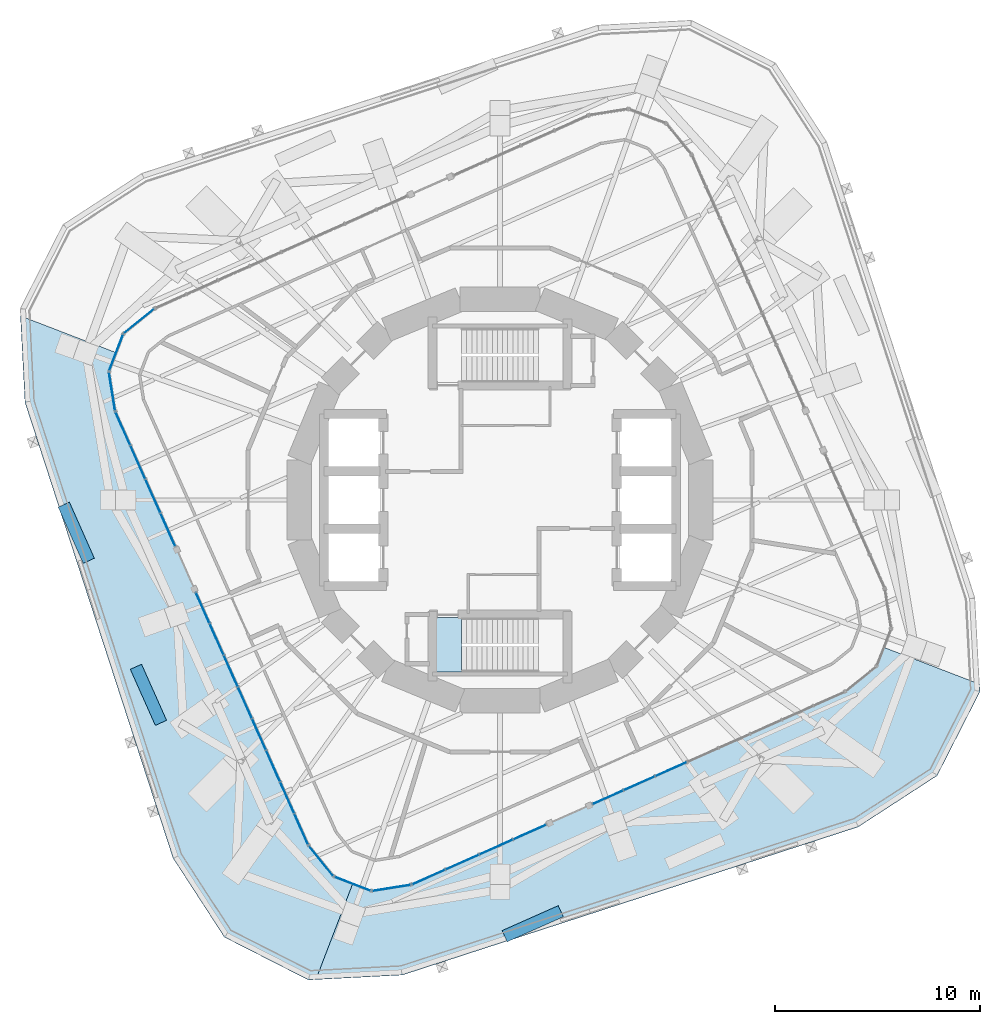
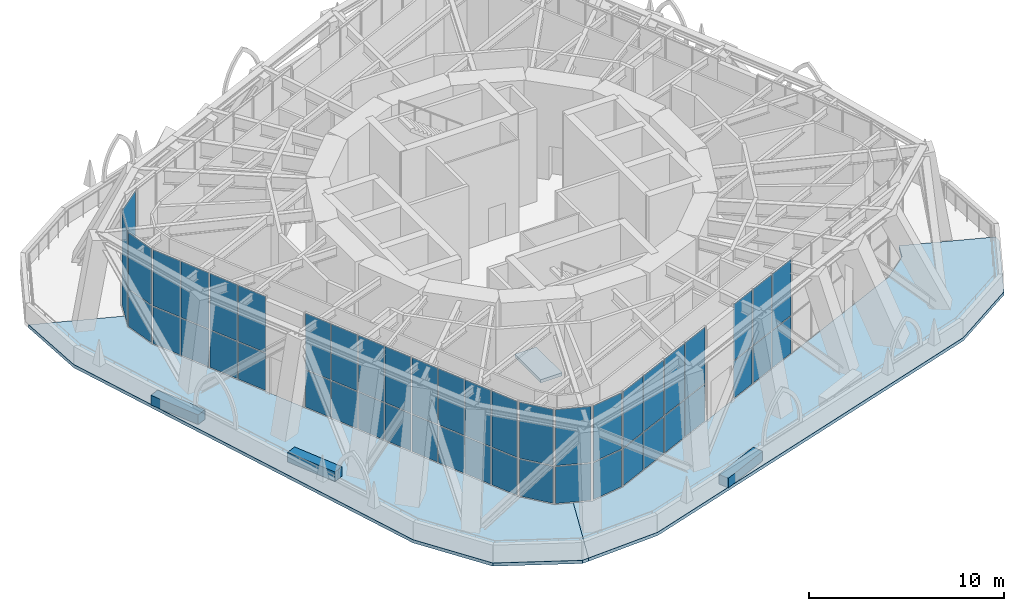
# One storey, part 10 of 18: 53 plates, 3 slabs, 11 elements without a shape of their own.
"""IFC4 building model written with IfcOpenShell, lengths in metres."""

from ifc_helpers import new_model, si_unit, direction, frame, origin, origin_2d, place, context, subcontext, project, spatial, polyline, rectangle, outline, extrude, material, layer, layer_set, type_object, element, aggregate, save


model = new_model("IFC4")

# Units and contexts
model_context = context("Model", 3, precision=1e-05, world=origin(), true_north=direction((0.0, 1.0)))
body_context = subcontext(model_context, "Body", "Model", "MODEL_VIEW")
ifc_project = project(units=[si_unit("LENGTHUNIT", "METRE"), si_unit("AREAUNIT", "SQUARE_METRE"), si_unit("VOLUMEUNIT", "CUBIC_METRE"), si_unit("PLANEANGLEUNIT", "RADIAN"), si_unit("MASSUNIT", "GRAM", prefix="KILO")], contexts=[model_context])

# Site, building, storey
site_placement = place(None, origin())
site = spatial("IfcSite", under=ifc_project, at=site_placement, CompositionType="ELEMENT")
building_placement = place(site_placement, origin())
building = spatial("IfcBuilding", under=site, at=building_placement, Name="Nakasero Lantern House", CompositionType="ELEMENT")
storey_placement = place(building_placement, frame((0.0, 0.0, 176.449951171875)))
storey = spatial("IfcBuildingStorey", under=building, at=storey_placement, Name="L43", CompositionType="ELEMENT", Elevation=176.449951171875)

# Curtain wall, plates
ifc_material_1 = material(Name="Aluminium 6063-T6 and glass", Category="aluminium")
curtain_wall_type = type_object("IfcCurtainWallType", Name="Sky lounge glazing CW-3", PredefinedType="USERDEFINED", material=ifc_material_1)
curtain_wall_1_placement = place(storey_placement, origin())
curtain_wall_1 = element("IfcCurtainWall", 1, at=curtain_wall_1_placement, inside=storey, type_object=curtain_wall_type, Name="Curtain wall CW-3 L43", ObjectType="STICK CURTAIN WALL", PredefinedType="USERDEFINED")
ifc_material_2 = material(Name="Glass", Category="glass")
ifc_layer_1 = layer(ifc_material_2, 0.028076171875)
ifc_layer_set_1 = layer_set([ifc_layer_1], Name="Glazed panel CW-3")
plate_type_1 = type_object("IfcPlateType", Name="Glazed panel CW-3", PredefinedType="CURTAIN_PANEL", material=ifc_layer_set_1)
plate_1_placement = place(storey_placement, frame((-17.633056640625, 8.7412109375, 0.06005859375), z_axis=(0.0, 0.0, 1.0), x_axis=(-0.777145961556, -0.629320390928, 0.0)))
plate_1 = element("IfcPlate", 2, at=plate_1_placement, type_object=plate_type_1, Name="CW-3 panel 1.1", PredefinedType="CURTAIN_PANEL", context=body_context, shape_type="SweptSolid", body=[
    extrude(rectangle(XDim=1.853759765625, YDim=0.028076171875, at=origin_2d()), origin(), (0.0, 0.0, 1.0), 2.31005859375),
])
plate_2_placement = place(storey_placement, frame((-17.633056640625, 8.7412109375, 2.43017578125), z_axis=(0.0, 0.0, 1.0), x_axis=(-0.777145961556, -0.629320390928, 0.0)))
plate_2 = element("IfcPlate", 3, at=plate_2_placement, type_object=plate_type_1, Name="CW-3 panel 1.2", PredefinedType="CURTAIN_PANEL", context=body_context, shape_type="SweptSolid", body=[
    extrude(rectangle(XDim=1.853759765625, YDim=0.028076171875, at=origin_2d()), origin(), (0.0, 0.0, 1.0), 3.510009765625),
])
aggregate(curtain_wall_1, [plate_1, plate_2])

curtain_wall_2_placement = place(storey_placement, origin())
curtain_wall_2 = element("IfcCurtainWall", 4, at=curtain_wall_2_placement, inside=storey, type_object=curtain_wall_type, Name="Curtain wall CW-3 L43", ObjectType="STICK CURTAIN WALL", PredefinedType="USERDEFINED")
plate_3_placement = place(storey_placement, frame((-16.95556640625, 0.1884765625, 0.06005859375), z_axis=(0.0, 0.0, 1.0), x_axis=(0.406736643044, -0.913545457657, 0.0)))
plate_3 = element("IfcPlate", 5, at=plate_3_placement, type_object=plate_type_1, Name="CW-3 panel 3.1", PredefinedType="CURTAIN_PANEL", context=body_context, shape_type="SweptSolid", body=[
    extrude(rectangle(XDim=1.75244140625, YDim=0.028076171875, at=origin_2d()), origin(), (0.0, 0.0, 1.0), 2.31005859375),
])
plate_4_placement = place(storey_placement, frame((-16.95556640625, 0.1884765625, 2.43017578125), z_axis=(0.0, 0.0, 1.0), x_axis=(0.406736643044, -0.913545457657, 0.0)))
plate_4 = element("IfcPlate", 6, at=plate_4_placement, type_object=plate_type_1, Name="CW-3 panel 3.2", PredefinedType="CURTAIN_PANEL", context=body_context, shape_type="SweptSolid", body=[
    extrude(rectangle(XDim=1.75244140625, YDim=0.028076171875, at=origin_2d()), origin(), (0.0, 0.0, 1.0), 3.510009765625),
])

curtain_wall_3_placement = place(storey_placement, origin())
curtain_wall_3 = element("IfcCurtainWall", 7, at=curtain_wall_3_placement, inside=storey, type_object=curtain_wall_type, Name="Curtain wall CW-3 L43", ObjectType="STICK CURTAIN WALL", PredefinedType="USERDEFINED")
plate_5_placement = place(storey_placement, frame((-13.84033203125, -6.80859375, 0.06005859375), z_axis=(0.0, 0.0, 1.0), x_axis=(0.406736643092, -0.913545457636, 0.0)))
plate_5 = element("IfcPlate", 8, at=plate_5_placement, type_object=plate_type_1, Name="CW-3 panel 2.1", PredefinedType="CURTAIN_PANEL", context=body_context, shape_type="SweptSolid", body=[
    extrude(rectangle(XDim=1.6337890625, YDim=0.028076171875, at=origin_2d()), origin(), (0.0, 0.0, 1.0), 2.31005859375),
])
plate_6_placement = place(storey_placement, frame((-13.84033203125, -6.80859375, 2.43017578125), z_axis=(0.0, 0.0, 1.0), x_axis=(0.406736643092, -0.913545457636, 0.0)))
plate_6 = element("IfcPlate", 9, at=plate_6_placement, type_object=plate_type_1, Name="CW-3 panel 2.2", PredefinedType="CURTAIN_PANEL", context=body_context, shape_type="SweptSolid", body=[
    extrude(rectangle(XDim=1.6337890625, YDim=0.028076171875, at=origin_2d()), origin(), (0.0, 0.0, 1.0), 3.510009765625),
])

curtain_wall_4_placement = place(storey_placement, origin())
curtain_wall_4 = element("IfcCurtainWall", 10, at=curtain_wall_4_placement, inside=storey, type_object=curtain_wall_type, Name="Curtain wall CW-3 L43", ObjectType="STICK CURTAIN WALL", PredefinedType="USERDEFINED")
plate_7_placement = place(storey_placement, frame((-8.7412109375, -17.633056640625, 0.06005859375), z_axis=(0.0, 0.0, 1.0), x_axis=(0.629320390928, -0.777145961556, 0.0)))
plate_7 = element("IfcPlate", 11, at=plate_7_placement, type_object=plate_type_1, Name="CW-3 panel 1.1", PredefinedType="CURTAIN_PANEL", context=body_context, shape_type="SweptSolid", body=[
    extrude(rectangle(XDim=1.853759765625, YDim=0.028076171875, at=origin_2d()), origin(), (0.0, 0.0, 1.0), 2.31005859375),
])
plate_8_placement = place(storey_placement, frame((-8.7412109375, -17.633056640625, 2.43017578125), z_axis=(0.0, 0.0, 1.0), x_axis=(0.629320390928, -0.777145961556, 0.0)))
plate_8 = element("IfcPlate", 12, at=plate_8_placement, type_object=plate_type_1, Name="CW-3 panel 1.2", PredefinedType="CURTAIN_PANEL", context=body_context, shape_type="SweptSolid", body=[
    extrude(rectangle(XDim=1.853759765625, YDim=0.028076171875, at=origin_2d()), origin(), (0.0, 0.0, 1.0), 3.510009765625),
])
aggregate(curtain_wall_4, [plate_7, plate_8])

curtain_wall_5_placement = place(storey_placement, origin())
curtain_wall_5 = element("IfcCurtainWall", 13, at=curtain_wall_5_placement, inside=storey, type_object=curtain_wall_type, Name="Curtain wall CW-3 L43", ObjectType="STICK CURTAIN WALL", PredefinedType="USERDEFINED")
plate_9_placement = place(storey_placement, frame((-0.1884765625, -16.95556640625, 0.06005859375), z_axis=(0.0, 0.0, 1.0), x_axis=(0.913545457657, 0.406736643044, 0.0)))
plate_9 = element("IfcPlate", 14, at=plate_9_placement, type_object=plate_type_1, Name="CW-3 panel 3.1", PredefinedType="CURTAIN_PANEL", context=body_context, shape_type="SweptSolid", body=[
    extrude(rectangle(XDim=1.75244140625, YDim=0.028076171875, at=origin_2d()), origin(), (0.0, 0.0, 1.0), 2.31005859375),
])
plate_10_placement = place(storey_placement, frame((-0.1884765625, -16.95556640625, 2.43017578125), z_axis=(0.0, 0.0, 1.0), x_axis=(0.913545457657, 0.406736643044, 0.0)))
plate_10 = element("IfcPlate", 15, at=plate_10_placement, type_object=plate_type_1, Name="CW-3 panel 3.2", PredefinedType="CURTAIN_PANEL", context=body_context, shape_type="SweptSolid", body=[
    extrude(rectangle(XDim=1.75244140625, YDim=0.028076171875, at=origin_2d()), origin(), (0.0, 0.0, 1.0), 3.510009765625),
])

curtain_wall_6_placement = place(storey_placement, origin())
curtain_wall_6 = element("IfcCurtainWall", 16, at=curtain_wall_6_placement, inside=storey, type_object=curtain_wall_type, Name="Curtain wall CW-3 L43", ObjectType="STICK CURTAIN WALL", PredefinedType="USERDEFINED")
plate_11_placement = place(storey_placement, frame((6.80859375, -13.84033203125, 0.06005859375), z_axis=(0.0, 0.0, 1.0), x_axis=(0.913545457636, 0.406736643092, 0.0)))
plate_11 = element("IfcPlate", 17, at=plate_11_placement, type_object=plate_type_1, Name="CW-3 panel 2.1", PredefinedType="CURTAIN_PANEL", context=body_context, shape_type="SweptSolid", body=[
    extrude(rectangle(XDim=1.6337890625, YDim=0.028076171875, at=origin_2d()), origin(), (0.0, 0.0, 1.0), 2.31005859375),
])
plate_12_placement = place(storey_placement, frame((6.80859375, -13.84033203125, 2.43017578125), z_axis=(0.0, 0.0, 1.0), x_axis=(0.913545457636, 0.406736643092, 0.0)))
plate_12 = element("IfcPlate", 18, at=plate_12_placement, type_object=plate_type_1, Name="CW-3 panel 2.2", PredefinedType="CURTAIN_PANEL", context=body_context, shape_type="SweptSolid", body=[
    extrude(rectangle(XDim=1.6337890625, YDim=0.028076171875, at=origin_2d()), origin(), (0.0, 0.0, 1.0), 3.510009765625),
])

curtain_wall_7_placement = place(storey_placement, origin())
curtain_wall_7 = element("IfcCurtainWall", 19, at=curtain_wall_7_placement, inside=storey, type_object=curtain_wall_type, Name="Curtain wall CW-3 L43", ObjectType="STICK CURTAIN WALL", PredefinedType="USERDEFINED")
ifc_material_3 = material(Name="Aluminium 6063-T6 and insulation", Category="aluminium")
ifc_layer_2 = layer(ifc_material_3, 0.028076171875)
ifc_layer_set_2 = layer_set([ifc_layer_2], Name="Insulated panel CW-3")
plate_type_2 = type_object("IfcPlateType", Name="Insulated panel CW-3", PredefinedType="CURTAIN_PANEL", material=ifc_layer_set_2)
plate_13_placement = place(storey_placement, frame((-18.753662109375, 7.198974609375, 0.06005859375), z_axis=(0.0, 0.0, 1.0), x_axis=(-0.358367949252, -0.93358042661, 0.0)))
plate_13 = element("IfcPlate", 20, at=plate_13_placement, type_object=plate_type_2, Name="CW-3 panel 1.1", PredefinedType="CURTAIN_PANEL", context=body_context, shape_type="SweptSolid", body=[
    extrude(rectangle(XDim=1.853759765625, YDim=0.028076171875, at=origin_2d()), origin(), (0.0, 0.0, 1.0), 2.31005859375),
])
plate_14_placement = place(storey_placement, frame((-18.753662109375, 7.198974609375, 2.43017578125), z_axis=(0.0, 0.0, 1.0), x_axis=(-0.358367949252, -0.93358042661, 0.0)))
plate_14 = element("IfcPlate", 21, at=plate_14_placement, type_object=plate_type_2, Name="CW-3 panel 1.2", PredefinedType="CURTAIN_PANEL", context=body_context, shape_type="SweptSolid", body=[
    extrude(rectangle(XDim=1.853759765625, YDim=0.028076171875, at=origin_2d()), origin(), (0.0, 0.0, 1.0), 3.510009765625),
])
aggregate(curtain_wall_7, [plate_13, plate_14])

curtain_wall_8_placement = place(storey_placement, origin())
curtain_wall_8 = element("IfcCurtainWall", 22, at=curtain_wall_8_placement, inside=storey, type_object=curtain_wall_type, Name="Curtain wall CW-3 L43", ObjectType="STICK CURTAIN WALL", PredefinedType="USERDEFINED")
plate_15_placement = place(storey_placement, frame((-18.952880859375, 5.302734375, 0.06005859375), z_axis=(0.0, 0.0, 1.0), x_axis=(0.156434465057, -0.987688340592, 0.0)))
plate_15 = element("IfcPlate", 23, at=plate_15_placement, type_object=plate_type_2, Name="CW-3 panel 1.1", PredefinedType="CURTAIN_PANEL", context=body_context, shape_type="SweptSolid", body=[
    extrude(rectangle(XDim=1.853759765625, YDim=0.028076171875, at=origin_2d()), origin(), (0.0, 0.0, 1.0), 2.31005859375),
])
plate_16_placement = place(storey_placement, frame((-18.952880859375, 5.302734375, 2.43017578125), z_axis=(0.0, 0.0, 1.0), x_axis=(0.156434465057, -0.987688340592, 0.0)))
plate_16 = element("IfcPlate", 24, at=plate_16_placement, type_object=plate_type_2, Name="CW-3 panel 1.2", PredefinedType="CURTAIN_PANEL", context=body_context, shape_type="SweptSolid", body=[
    extrude(rectangle(XDim=1.853759765625, YDim=0.028076171875, at=origin_2d()), origin(), (0.0, 0.0, 1.0), 3.510009765625),
])
aggregate(curtain_wall_8, [plate_15, plate_16])

# Plate
plate_17_placement = place(storey_placement, frame((-18.423828125, 3.486572265625, 0.06005859375), z_axis=(0.0, 0.0, 1.0), x_axis=(0.406736643044, -0.913545457657, 0.0)))
plate_17 = element("IfcPlate", 25, at=plate_17_placement, type_object=plate_type_2, Name="CW-3 panel 1.1", PredefinedType="CURTAIN_PANEL", context=body_context, shape_type="SweptSolid", body=[
    extrude(rectangle(XDim=1.722412109375, YDim=0.028076171875, at=origin_2d()), origin(), (0.0, 0.0, 1.0), 2.31005859375),
])

plate_18_placement = place(storey_placement, frame((-18.423828125, 3.486572265625, 2.43017578125), z_axis=(0.0, 0.0, 1.0), x_axis=(0.406736643044, -0.913545457657, 0.0)))
plate_18 = element("IfcPlate", 26, at=plate_18_placement, type_object=plate_type_2, Name="CW-3 panel 1.2", PredefinedType="CURTAIN_PANEL", context=body_context, shape_type="SweptSolid", body=[
    extrude(rectangle(XDim=1.722412109375, YDim=0.028076171875, at=origin_2d()), origin(), (0.0, 0.0, 1.0), 3.510009765625),
])

plate_19_placement = place(storey_placement, frame((-17.69287109375, 1.844482421875, 0.06005859375), z_axis=(0.0, 0.0, 1.0), x_axis=(0.406736643044, -0.913545457657, 0.0)))
plate_19 = element("IfcPlate", 27, at=plate_19_placement, type_object=plate_type_2, Name="CW-3 panel 2.1", PredefinedType="CURTAIN_PANEL", context=body_context, shape_type="SweptSolid", body=[
    extrude(rectangle(XDim=1.75244140625, YDim=0.028076171875, at=origin_2d()), origin(), (0.0, 0.0, 1.0), 2.31005859375),
])

plate_20_placement = place(storey_placement, frame((-17.69287109375, 1.844482421875, 2.43017578125), z_axis=(0.0, 0.0, 1.0), x_axis=(0.406736643044, -0.913545457657, 0.0)))
plate_20 = element("IfcPlate", 28, at=plate_20_placement, type_object=plate_type_2, Name="CW-3 panel 2.2", PredefinedType="CURTAIN_PANEL", context=body_context, shape_type="SweptSolid", body=[
    extrude(rectangle(XDim=1.75244140625, YDim=0.028076171875, at=origin_2d()), origin(), (0.0, 0.0, 1.0), 3.510009765625),
])

plate_21_placement = place(storey_placement, frame((-16.224365234375, -1.45361328125, 0.06005859375), z_axis=(0.0, 0.0, 1.0), x_axis=(0.406736643044, -0.913545457657, 0.0)))
plate_21 = element("IfcPlate", 29, at=plate_21_placement, type_object=plate_type_2, Name="CW-3 panel 4.1", PredefinedType="CURTAIN_PANEL", context=body_context, shape_type="SweptSolid", body=[
    extrude(rectangle(XDim=1.722412109375, YDim=0.028076171875, at=origin_2d()), origin(), (0.0, 0.0, 1.0), 2.31005859375),
])

plate_22_placement = place(storey_placement, frame((-16.224365234375, -1.45361328125, 2.43017578125), z_axis=(0.0, 0.0, 1.0), x_axis=(0.406736643044, -0.913545457657, 0.0)))
plate_22 = element("IfcPlate", 30, at=plate_22_placement, type_object=plate_type_2, Name="CW-3 panel 4.2", PredefinedType="CURTAIN_PANEL", context=body_context, shape_type="SweptSolid", body=[
    extrude(rectangle(XDim=1.722412109375, YDim=0.028076171875, at=origin_2d()), origin(), (0.0, 0.0, 1.0), 3.510009765625),
])

aggregate(curtain_wall_2, [plate_17, plate_18, plate_19, plate_20, plate_3, plate_4, plate_21, plate_22])

plate_23_placement = place(storey_placement, frame((-14.52294921875, -5.27490234375, 0.06005859375), z_axis=(0.0, 0.0, 1.0), x_axis=(0.406736643092, -0.913545457636, 0.0)))
plate_23 = element("IfcPlate", 31, at=plate_23_placement, type_object=plate_type_2, Name="CW-3 panel 1.1", PredefinedType="CURTAIN_PANEL", context=body_context, shape_type="SweptSolid", body=[
    extrude(rectangle(XDim=1.603759765625, YDim=0.028076171875, at=origin_2d()), origin(), (0.0, 0.0, 1.0), 2.31005859375),
])

plate_24_placement = place(storey_placement, frame((-14.52294921875, -5.27490234375, 2.43017578125), z_axis=(0.0, 0.0, 1.0), x_axis=(0.406736643092, -0.913545457636, 0.0)))
plate_24 = element("IfcPlate", 32, at=plate_24_placement, type_object=plate_type_2, Name="CW-3 panel 1.2", PredefinedType="CURTAIN_PANEL", context=body_context, shape_type="SweptSolid", body=[
    extrude(rectangle(XDim=1.603759765625, YDim=0.028076171875, at=origin_2d()), origin(), (0.0, 0.0, 1.0), 3.510009765625),
])

plate_25_placement = place(storey_placement, frame((-13.1513671875, -8.35595703125, 0.06005859375), z_axis=(0.0, 0.0, 1.0), x_axis=(0.406736643092, -0.913545457636, 0.0)))
plate_25 = element("IfcPlate", 33, at=plate_25_placement, type_object=plate_type_2, Name="CW-3 panel 3.1", PredefinedType="CURTAIN_PANEL", context=body_context, shape_type="SweptSolid", body=[
    extrude(rectangle(XDim=1.6337890625, YDim=0.028076171875, at=origin_2d()), origin(), (0.0, 0.0, 1.0), 2.31005859375),
])

plate_26_placement = place(storey_placement, frame((-13.1513671875, -8.35595703125, 2.43017578125), z_axis=(0.0, 0.0, 1.0), x_axis=(0.406736643092, -0.913545457636, 0.0)))
plate_26 = element("IfcPlate", 34, at=plate_26_placement, type_object=plate_type_2, Name="CW-3 panel 3.2", PredefinedType="CURTAIN_PANEL", context=body_context, shape_type="SweptSolid", body=[
    extrude(rectangle(XDim=1.6337890625, YDim=0.028076171875, at=origin_2d()), origin(), (0.0, 0.0, 1.0), 3.510009765625),
])

plate_27_placement = place(storey_placement, frame((-12.46240234375, -9.9033203125, 0.06005859375), z_axis=(0.0, 0.0, 1.0), x_axis=(0.406736643092, -0.913545457636, 0.0)))
plate_27 = element("IfcPlate", 35, at=plate_27_placement, type_object=plate_type_2, Name="CW-3 panel 4.1", PredefinedType="CURTAIN_PANEL", context=body_context, shape_type="SweptSolid", body=[
    extrude(rectangle(XDim=1.6337890625, YDim=0.028076171875, at=origin_2d()), origin(), (0.0, 0.0, 1.0), 2.31005859375),
])

plate_28_placement = place(storey_placement, frame((-12.46240234375, -9.9033203125, 2.43017578125), z_axis=(0.0, 0.0, 1.0), x_axis=(0.406736643092, -0.913545457636, 0.0)))
plate_28 = element("IfcPlate", 36, at=plate_28_placement, type_object=plate_type_2, Name="CW-3 panel 4.2", PredefinedType="CURTAIN_PANEL", context=body_context, shape_type="SweptSolid", body=[
    extrude(rectangle(XDim=1.6337890625, YDim=0.028076171875, at=origin_2d()), origin(), (0.0, 0.0, 1.0), 3.510009765625),
])

plate_29_placement = place(storey_placement, frame((-11.7734375, -11.450439453125, 0.06005859375), z_axis=(0.0, 0.0, 1.0), x_axis=(0.406736643092, -0.913545457636, 0.0)))
plate_29 = element("IfcPlate", 37, at=plate_29_placement, type_object=plate_type_2, Name="CW-3 panel 5.1", PredefinedType="CURTAIN_PANEL", context=body_context, shape_type="SweptSolid", body=[
    extrude(rectangle(XDim=1.6337890625, YDim=0.028076171875, at=origin_2d()), origin(), (0.0, 0.0, 1.0), 2.31005859375),
])

plate_30_placement = place(storey_placement, frame((-11.7734375, -11.450439453125, 2.43017578125), z_axis=(0.0, 0.0, 1.0), x_axis=(0.406736643092, -0.913545457636, 0.0)))
plate_30 = element("IfcPlate", 38, at=plate_30_placement, type_object=plate_type_2, Name="CW-3 panel 5.2", PredefinedType="CURTAIN_PANEL", context=body_context, shape_type="SweptSolid", body=[
    extrude(rectangle(XDim=1.6337890625, YDim=0.028076171875, at=origin_2d()), origin(), (0.0, 0.0, 1.0), 3.510009765625),
])

plate_31_placement = place(storey_placement, frame((-11.084716796875, -12.997802734375, 0.06005859375), z_axis=(0.0, 0.0, 1.0), x_axis=(0.406736643092, -0.913545457636, 0.0)))
plate_31 = element("IfcPlate", 39, at=plate_31_placement, type_object=plate_type_2, Name="CW-3 panel 6.1", PredefinedType="CURTAIN_PANEL", context=body_context, shape_type="SweptSolid", body=[
    extrude(rectangle(XDim=1.6337890625, YDim=0.028076171875, at=origin_2d()), origin(), (0.0, 0.0, 1.0), 2.31005859375),
])

plate_32_placement = place(storey_placement, frame((-11.084716796875, -12.997802734375, 2.43017578125), z_axis=(0.0, 0.0, 1.0), x_axis=(0.406736643092, -0.913545457636, 0.0)))
plate_32 = element("IfcPlate", 40, at=plate_32_placement, type_object=plate_type_2, Name="CW-3 panel 6.2", PredefinedType="CURTAIN_PANEL", context=body_context, shape_type="SweptSolid", body=[
    extrude(rectangle(XDim=1.6337890625, YDim=0.028076171875, at=origin_2d()), origin(), (0.0, 0.0, 1.0), 3.510009765625),
])

plate_33_placement = place(storey_placement, frame((-10.395751953125, -14.545166015625, 0.06005859375), z_axis=(0.0, 0.0, 1.0), x_axis=(0.406736643092, -0.913545457636, 0.0)))
plate_33 = element("IfcPlate", 41, at=plate_33_placement, type_object=plate_type_2, Name="CW-3 panel 7.1", PredefinedType="CURTAIN_PANEL", context=body_context, shape_type="SweptSolid", body=[
    extrude(rectangle(XDim=1.6337890625, YDim=0.028076171875, at=origin_2d()), origin(), (0.0, 0.0, 1.0), 2.31005859375),
])

plate_34_placement = place(storey_placement, frame((-10.395751953125, -14.545166015625, 2.43017578125), z_axis=(0.0, 0.0, 1.0), x_axis=(0.406736643092, -0.913545457636, 0.0)))
plate_34 = element("IfcPlate", 42, at=plate_34_placement, type_object=plate_type_2, Name="CW-3 panel 7.2", PredefinedType="CURTAIN_PANEL", context=body_context, shape_type="SweptSolid", body=[
    extrude(rectangle(XDim=1.6337890625, YDim=0.028076171875, at=origin_2d()), origin(), (0.0, 0.0, 1.0), 3.510009765625),
])

plate_35_placement = place(storey_placement, frame((-9.712890625, -16.078857421875, 0.06005859375), z_axis=(0.0, 0.0, 1.0), x_axis=(0.406736643092, -0.913545457636, 0.0)))
plate_35 = element("IfcPlate", 43, at=plate_35_placement, type_object=plate_type_2, Name="CW-3 panel 8.1", PredefinedType="CURTAIN_PANEL", context=body_context, shape_type="SweptSolid", body=[
    extrude(rectangle(XDim=1.603759765625, YDim=0.028076171875, at=origin_2d()), origin(), (0.0, 0.0, 1.0), 2.31005859375),
])

plate_36_placement = place(storey_placement, frame((-9.712890625, -16.078857421875, 2.43017578125), z_axis=(0.0, 0.0, 1.0), x_axis=(0.406736643092, -0.913545457636, 0.0)))
plate_36 = element("IfcPlate", 44, at=plate_36_placement, type_object=plate_type_2, Name="CW-3 panel 8.2", PredefinedType="CURTAIN_PANEL", context=body_context, shape_type="SweptSolid", body=[
    extrude(rectangle(XDim=1.603759765625, YDim=0.028076171875, at=origin_2d()), origin(), (0.0, 0.0, 1.0), 3.510009765625),
])

aggregate(curtain_wall_3, [plate_23, plate_24, plate_5, plate_6, plate_25, plate_26, plate_27, plate_28, plate_29, plate_30, plate_31, plate_32, plate_33, plate_34, plate_35, plate_36])

# Curtain wall, plates
curtain_wall_9_placement = place(storey_placement, origin())
curtain_wall_9 = element("IfcCurtainWall", 45, at=curtain_wall_9_placement, inside=storey, type_object=curtain_wall_type, Name="Curtain wall CW-3 L43", ObjectType="STICK CURTAIN WALL", PredefinedType="USERDEFINED")
plate_37_placement = place(storey_placement, frame((-7.198974609375, -18.753662109375, 0.06005859375), z_axis=(0.0, 0.0, 1.0), x_axis=(0.93358042661, -0.358367949252, 0.0)))
plate_37 = element("IfcPlate", 46, at=plate_37_placement, type_object=plate_type_2, Name="CW-3 panel 1.1", PredefinedType="CURTAIN_PANEL", context=body_context, shape_type="SweptSolid", body=[
    extrude(rectangle(XDim=1.853759765625, YDim=0.028076171875, at=origin_2d()), origin(), (0.0, 0.0, 1.0), 2.31005859375),
])
plate_38_placement = place(storey_placement, frame((-7.198974609375, -18.753662109375, 2.43017578125), z_axis=(0.0, 0.0, 1.0), x_axis=(0.93358042661, -0.358367949252, 0.0)))
plate_38 = element("IfcPlate", 47, at=plate_38_placement, type_object=plate_type_2, Name="CW-3 panel 1.2", PredefinedType="CURTAIN_PANEL", context=body_context, shape_type="SweptSolid", body=[
    extrude(rectangle(XDim=1.853759765625, YDim=0.028076171875, at=origin_2d()), origin(), (0.0, 0.0, 1.0), 3.510009765625),
])
aggregate(curtain_wall_9, [plate_37, plate_38])

curtain_wall_10_placement = place(storey_placement, origin())
curtain_wall_10 = element("IfcCurtainWall", 48, at=curtain_wall_10_placement, inside=storey, type_object=curtain_wall_type, Name="Curtain wall CW-3 L43", ObjectType="STICK CURTAIN WALL", PredefinedType="USERDEFINED")
plate_39_placement = place(storey_placement, frame((-5.302734375, -18.952880859375, 0.06005859375), z_axis=(0.0, 0.0, 1.0), x_axis=(0.987688340592, 0.156434465057, 0.0)))
plate_39 = element("IfcPlate", 49, at=plate_39_placement, type_object=plate_type_2, Name="CW-3 panel 1.1", PredefinedType="CURTAIN_PANEL", context=body_context, shape_type="SweptSolid", body=[
    extrude(rectangle(XDim=1.853759765625, YDim=0.028076171875, at=origin_2d()), origin(), (0.0, 0.0, 1.0), 2.31005859375),
])
plate_40_placement = place(storey_placement, frame((-5.302734375, -18.952880859375, 2.43017578125), z_axis=(0.0, 0.0, 1.0), x_axis=(0.987688340592, 0.156434465057, 0.0)))
plate_40 = element("IfcPlate", 50, at=plate_40_placement, type_object=plate_type_2, Name="CW-3 panel 1.2", PredefinedType="CURTAIN_PANEL", context=body_context, shape_type="SweptSolid", body=[
    extrude(rectangle(XDim=1.853759765625, YDim=0.028076171875, at=origin_2d()), origin(), (0.0, 0.0, 1.0), 3.510009765625),
])
aggregate(curtain_wall_10, [plate_39, plate_40])

# Plate
plate_41_placement = place(storey_placement, frame((-3.486572265625, -18.423828125, 0.06005859375), z_axis=(0.0, 0.0, 1.0), x_axis=(0.913545457657, 0.406736643044, 0.0)))
plate_41 = element("IfcPlate", 51, at=plate_41_placement, type_object=plate_type_2, Name="CW-3 panel 1.1", PredefinedType="CURTAIN_PANEL", context=body_context, shape_type="SweptSolid", body=[
    extrude(rectangle(XDim=1.722412109375, YDim=0.028076171875, at=origin_2d()), origin(), (0.0, 0.0, 1.0), 2.31005859375),
])

plate_42_placement = place(storey_placement, frame((-3.486572265625, -18.423828125, 2.43017578125), z_axis=(0.0, 0.0, 1.0), x_axis=(0.913545457657, 0.406736643044, 0.0)))
plate_42 = element("IfcPlate", 52, at=plate_42_placement, type_object=plate_type_2, Name="CW-3 panel 1.2", PredefinedType="CURTAIN_PANEL", context=body_context, shape_type="SweptSolid", body=[
    extrude(rectangle(XDim=1.722412109375, YDim=0.028076171875, at=origin_2d()), origin(), (0.0, 0.0, 1.0), 3.510009765625),
])

plate_43_placement = place(storey_placement, frame((-1.844482421875, -17.69287109375, 0.06005859375), z_axis=(0.0, 0.0, 1.0), x_axis=(0.913545457657, 0.406736643044, 0.0)))
plate_43 = element("IfcPlate", 53, at=plate_43_placement, type_object=plate_type_2, Name="CW-3 panel 2.1", PredefinedType="CURTAIN_PANEL", context=body_context, shape_type="SweptSolid", body=[
    extrude(rectangle(XDim=1.75244140625, YDim=0.028076171875, at=origin_2d()), origin(), (0.0, 0.0, 1.0), 2.31005859375),
])

plate_44_placement = place(storey_placement, frame((-1.844482421875, -17.69287109375, 2.43017578125), z_axis=(0.0, 0.0, 1.0), x_axis=(0.913545457657, 0.406736643044, 0.0)))
plate_44 = element("IfcPlate", 54, at=plate_44_placement, type_object=plate_type_2, Name="CW-3 panel 2.2", PredefinedType="CURTAIN_PANEL", context=body_context, shape_type="SweptSolid", body=[
    extrude(rectangle(XDim=1.75244140625, YDim=0.028076171875, at=origin_2d()), origin(), (0.0, 0.0, 1.0), 3.510009765625),
])

plate_45_placement = place(storey_placement, frame((1.45361328125, -16.224365234375, 0.06005859375), z_axis=(0.0, 0.0, 1.0), x_axis=(0.913545457657, 0.406736643044, 0.0)))
plate_45 = element("IfcPlate", 55, at=plate_45_placement, type_object=plate_type_2, Name="CW-3 panel 4.1", PredefinedType="CURTAIN_PANEL", context=body_context, shape_type="SweptSolid", body=[
    extrude(rectangle(XDim=1.722412109375, YDim=0.028076171875, at=origin_2d()), origin(), (0.0, 0.0, 1.0), 2.31005859375),
])

plate_46_placement = place(storey_placement, frame((1.45361328125, -16.224365234375, 2.43017578125), z_axis=(0.0, 0.0, 1.0), x_axis=(0.913545457657, 0.406736643044, 0.0)))
plate_46 = element("IfcPlate", 56, at=plate_46_placement, type_object=plate_type_2, Name="CW-3 panel 4.2", PredefinedType="CURTAIN_PANEL", context=body_context, shape_type="SweptSolid", body=[
    extrude(rectangle(XDim=1.722412109375, YDim=0.028076171875, at=origin_2d()), origin(), (0.0, 0.0, 1.0), 3.510009765625),
])

aggregate(curtain_wall_5, [plate_41, plate_42, plate_43, plate_44, plate_9, plate_10, plate_45, plate_46])

plate_47_placement = place(storey_placement, frame((5.27490234375, -14.52294921875, 0.06005859375), z_axis=(0.0, 0.0, 1.0), x_axis=(0.913545457636, 0.406736643092, 0.0)))
plate_47 = element("IfcPlate", 57, at=plate_47_placement, type_object=plate_type_2, Name="CW-3 panel 1.1", PredefinedType="CURTAIN_PANEL", context=body_context, shape_type="SweptSolid", body=[
    extrude(rectangle(XDim=1.603759765625, YDim=0.028076171875, at=origin_2d()), origin(), (0.0, 0.0, 1.0), 2.31005859375),
])

plate_48_placement = place(storey_placement, frame((5.27490234375, -14.52294921875, 2.43017578125), z_axis=(0.0, 0.0, 1.0), x_axis=(0.913545457636, 0.406736643092, 0.0)))
plate_48 = element("IfcPlate", 58, at=plate_48_placement, type_object=plate_type_2, Name="CW-3 panel 1.2", PredefinedType="CURTAIN_PANEL", context=body_context, shape_type="SweptSolid", body=[
    extrude(rectangle(XDim=1.603759765625, YDim=0.028076171875, at=origin_2d()), origin(), (0.0, 0.0, 1.0), 3.510009765625),
])

plate_49_placement = place(storey_placement, frame((8.35595703125, -13.1513671875, 0.06005859375), z_axis=(0.0, 0.0, 1.0), x_axis=(0.913545457636, 0.406736643092, 0.0)))
plate_49 = element("IfcPlate", 59, at=plate_49_placement, type_object=plate_type_2, Name="CW-3 panel 3.1", PredefinedType="CURTAIN_PANEL", context=body_context, shape_type="SweptSolid", body=[
    extrude(rectangle(XDim=1.6337890625, YDim=0.028076171875, at=origin_2d()), origin(), (0.0, 0.0, 1.0), 2.31005859375),
])

plate_50_placement = place(storey_placement, frame((8.35595703125, -13.1513671875, 2.43017578125), z_axis=(0.0, 0.0, 1.0), x_axis=(0.913545457636, 0.406736643092, 0.0)))
plate_50 = element("IfcPlate", 60, at=plate_50_placement, type_object=plate_type_2, Name="CW-3 panel 3.2", PredefinedType="CURTAIN_PANEL", context=body_context, shape_type="SweptSolid", body=[
    extrude(rectangle(XDim=1.6337890625, YDim=0.028076171875, at=origin_2d()), origin(), (0.0, 0.0, 1.0), 3.510009765625),
])

aggregate(curtain_wall_6, [plate_47, plate_48, plate_11, plate_12, plate_49, plate_50])

# Plates
ifc_material_4 = material(Name="Aluminium 6063-T6", Category="aluminium")
ifc_layer_3 = layer(ifc_material_4, 0.60009765625)
ifc_layer_set_3 = layer_set([ifc_layer_3], Name="Sky garden planter 1200x3000")
plate_type_3 = type_object("IfcPlateType", Name="Sky garden planter 1200x3000", PredefinedType="USERDEFINED", material=ifc_layer_set_3)
for number, where, z_axis, x_axis, name in (
    (61, (-20.699951171875, -1.597412109375, 0.0), (0.0, 0.0, 1.0), (-0.913545457643, -0.406736643076, 0.0), "Sky garden PLANTER L43 20"),
    (62, (-17.17333984375, -9.517822265625, 0.0), (0.0, 0.0, 1.0), (-0.913545457643, -0.406736643076, 0.0), "Sky garden PLANTER L43 21"),
    (63, (1.597412109375, -20.699951171875, 0.0), (0.0, 0.0, 1.0), (0.406736643076, -0.913545457643, 0.0), "Sky garden PLANTER L43 30"),
):
    element("IfcPlate", number, at=place(storey_placement, frame(where, z_axis=z_axis, x_axis=x_axis)), inside=storey, type_object=plate_type_3, Name=name, ObjectType="PLANTER", PredefinedType="USERDEFINED", context=body_context, shape_type="SweptSolid", body=[
        extrude(rectangle(XDim=0.60009765625, YDim=3.0, at=origin_2d()), origin(), (0.0, 0.0, 1.0), 0.60009765625),
    ])

# Slabs
ifc_material_5 = material(Name="Concrete C35/45", Category="concrete")
ifc_layer_4 = layer(ifc_material_5, 0.199951171875)
ifc_layer_set_4 = layer_set([ifc_layer_4], Name="Sky garden terrace slab 200")
slab_type_1 = type_object("IfcSlabType", Name="Sky garden terrace slab 200", PredefinedType="USERDEFINED", material=ifc_layer_set_4)
slab_1_placement = place(storey_placement, frame((0.0, 0.0, -0.199951171875)))
element("IfcSlab", 64, at=slab_1_placement, inside=storey, type_object=slab_type_1, Name="Sky garden terrace L43 W", ObjectType="TERRACE", PredefinedType="USERDEFINED", context=body_context, shape_type="SweptSolid", body=[
    extrude(outline(polyline([(-9.3623046875, -23.448486328125), (-8.99365234375, -23.428955078125), (-7.198974609375, -18.753662109375), (-8.1201171875, -18.400146484375), (-9.3623046875, -16.8662109375), (-18.798583984375, 4.328125), (-19.107421875, 6.277587890625), (-18.753662109375, 7.198974609375), (-23.428955078125, 8.99365234375), (-23.207275390625, 4.76171875), (-15.976318359375, -17.4931640625), (-13.467041015625, -21.35693359375), (-9.3623046875, -23.448486328125)])), origin(), (0.0, 0.0, 1.0), 0.199951171875),
])
slab_2_placement = place(storey_placement, frame((0.0, 0.0, -0.199951171875)))
element("IfcSlab", 65, at=slab_2_placement, inside=storey, type_object=slab_type_1, Name="Sky garden terrace L43 S", ObjectType="TERRACE", PredefinedType="USERDEFINED", context=body_context, shape_type="SweptSolid", body=[
    extrude(outline(polyline([(23.448486328125, -9.3623046875), (23.428955078125, -8.99365234375), (18.753662109375, -7.198974609375), (18.400146484375, -8.1201171875), (16.8662109375, -9.3623046875), (-4.328125, -18.798583984375), (-6.277587890625, -19.107421875), (-7.198974609375, -18.753662109375), (-8.99365234375, -23.428955078125), (-4.76171875, -23.207275390625), (17.4931640625, -15.976318359375), (21.35693359375, -13.467041015625), (23.448486328125, -9.3623046875)])), origin(), (0.0, 0.0, 1.0), 0.199951171875),
])

# Stair, slab
ifc_material_6 = material(Name="Concrete C40/50", Category="concrete")
stair_type = type_object("IfcStairType", Name="Escape stair ST2 32 risers", PredefinedType="HALF_TURN_STAIR", material=ifc_material_6)
stair_placement = place(storey_placement, origin())
stair = element("IfcStair", 66, at=stair_placement, inside=storey, type_object=stair_type, Name="Escape stair ST2 L43", PredefinedType="HALF_TURN_STAIR")
ifc_material_7 = material(Name="Concrete C40/50", Category="concrete")
ifc_layer_5 = layer(ifc_material_7, 0.199951171875)
ifc_layer_set_5 = layer_set([ifc_layer_5], Name="Stair landing 200")
slab_type_2 = type_object("IfcSlabType", Name="Stair landing 200", PredefinedType="LANDING", material=ifc_layer_set_5)
slab_3_placement = place(storey_placement, frame((0.0, 0.0, -0.199951171875)))
slab_3 = element("IfcSlab", 67, at=slab_3_placement, type_object=slab_type_2, Name="ST2 landing 1", PredefinedType="LANDING", context=body_context, shape_type="SweptSolid", body=[
    extrude(outline(polyline([(-3.14990234375, -8.39990234375), (-1.875, -8.39990234375), (-1.875, -5.75), (-3.14990234375, -5.75), (-3.14990234375, -8.39990234375)])), origin(), (0.0, 0.0, 1.0), 0.199951171875),
])
aggregate(stair, [slab_3])

save(model, "model.ifc")
